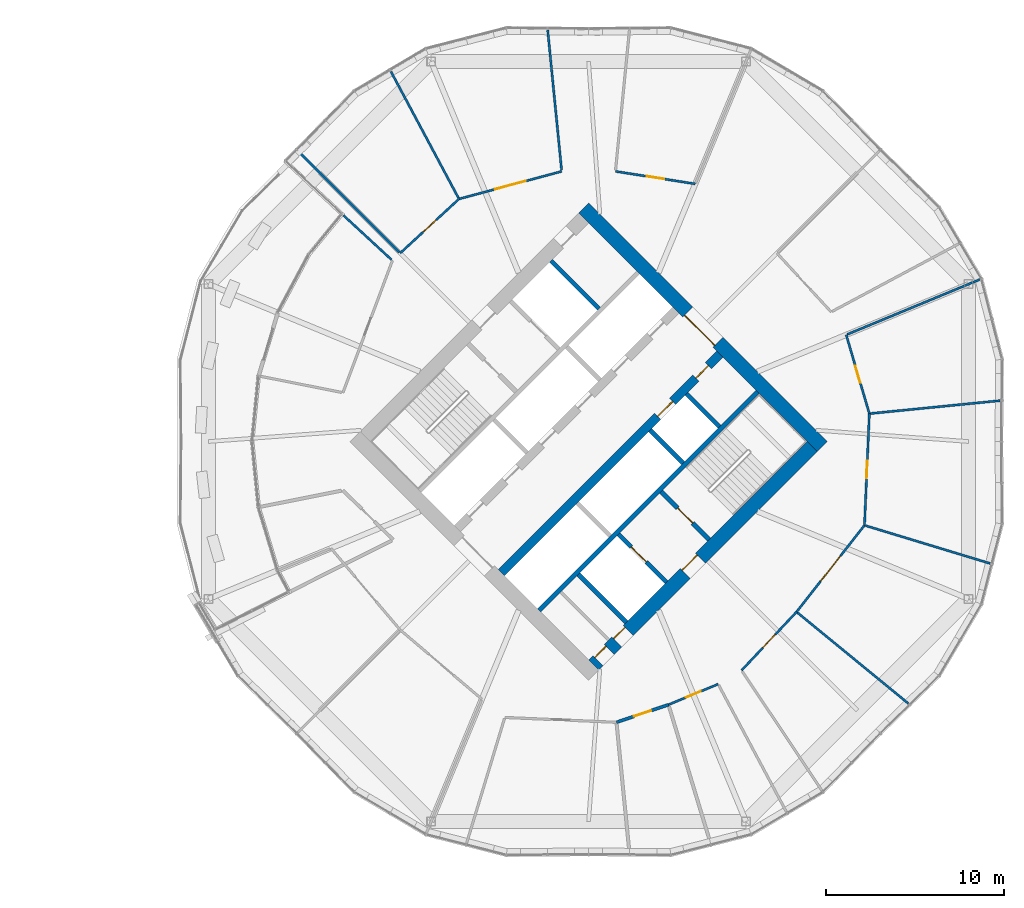
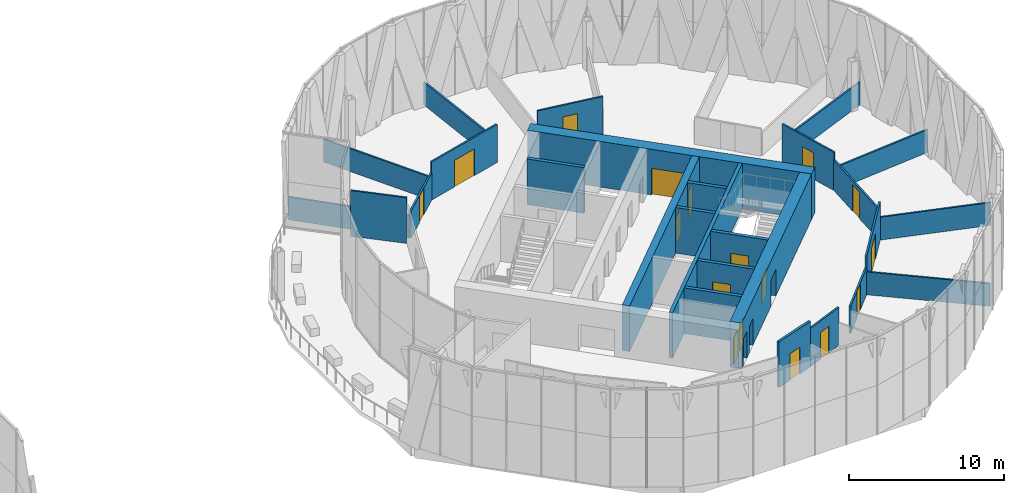
# One storey, part 25 of 31: 27 walls, 17 doors, 17 openings.
"""IFC4 building model written with IfcOpenShell, lengths in metres."""

from ifc_helpers import new_model, si_unit, direction, frame, frame_2d, origin, place, context, subcontext, project, spatial, rectangle, extrude, material, layer, layer_set, type_object, element, fill, save


model = new_model("IFC4")

# Units and contexts
model_context = context("Model", 3, precision=1e-05, world=origin(), true_north=direction((0.0, 1.0)))
body_context = subcontext(model_context, "Body", "Model", "MODEL_VIEW")
ifc_project = project(units=[si_unit("LENGTHUNIT", "METRE"), si_unit("AREAUNIT", "SQUARE_METRE"), si_unit("VOLUMEUNIT", "CUBIC_METRE"), si_unit("PLANEANGLEUNIT", "RADIAN"), si_unit("MASSUNIT", "GRAM", prefix="KILO")], contexts=[model_context])

# Site, building, storey
site_placement = place(None, origin())
site = spatial("IfcSite", under=ifc_project, at=site_placement, CompositionType="ELEMENT")
building_placement = place(site_placement, origin())
building = spatial("IfcBuilding", under=site, at=building_placement, Name="Ogive Gate Towers", CompositionType="ELEMENT")
storey_placement = place(building_placement, frame((0.0, 0.0, 107.39990234375)))
storey = spatial("IfcBuildingStorey", under=building, at=storey_placement, Name="L25", CompositionType="ELEMENT", Elevation=107.39990234375)

# Wall, opening, door
ifc_material_1 = material(Name="Gypsum board acoustic partition")
ifc_layer_1 = layer(ifc_material_1, 0.175048828125)
ifc_layer_set_1 = layer_set([ifc_layer_1], Name="Acoustic partition 175")
wall_type_1 = type_object("IfcWallType", Name="Acoustic partition 175", PredefinedType="PARTITIONING", material=ifc_layer_set_1)
wall_1_placement = place(storey_placement, frame((40.4990234375, -14.817626953125, 0.0), z_axis=(0.0, 0.0, 1.0), x_axis=(-0.947115929301, -0.320891596127, 0.0)))
wall_1 = element("IfcWall", 1, at=wall_1_placement, inside=storey, type_object=wall_type_1, Name="Partition T2-L25-035", PredefinedType="PARTITIONING", context=body_context, shape_type="SweptSolid", body=[
    extrude(rectangle(XDim=3.09130859375, YDim=0.175048828125, at=frame_2d((1.545654296875, 0.0))), origin(), (0.0, 0.0, 1.0), 3.60009765625),
])
opening_1_placement = place(wall_1_placement, frame((1.0458984375, 0.0, 0.0)))
opening_1 = element("IfcOpeningElement", 2, at=opening_1_placement, cuts=wall_1, Name="Opening T2-L25-D12", PredefinedType="OPENING", context=body_context, shape_type="SweptSolid", body=[
    extrude(rectangle(XDim=1.0, YDim=2.10009765625, at=frame_2d((0.5, 1.050048828125))), frame((0.0, 0.09765625, 0.0), z_axis=(0.0, -1.0, 0.0), x_axis=(1.0, 0.0, 0.0)), (0.0, 0.0, 1.0), 0.195068359375),
])
ifc_material_2 = material(Name="Timber door", Category="wood")
door_type_1 = type_object("IfcDoorType", Name="Door 1000", OperationType="NOTDEFINED", PredefinedType="DOOR", material=ifc_material_2)
door_1_placement = place(opening_1_placement, origin())
door_1 = element("IfcDoor", 3, at=door_1_placement, inside=storey, type_object=door_type_1, Name="Door T2-L25-D12", OperationType="SINGLE_SWING_RIGHT", OverallHeight=2.10009765625, OverallWidth=1.0, PredefinedType="DOOR", context=body_context, shape_type="SweptSolid", body=[
    extrude(rectangle(XDim=1.0, YDim=2.10009765625, at=frame_2d((0.5, 1.050048828125))), frame((0.0, 0.02490234375, 0.0), z_axis=(0.0, -1.0, 0.0), x_axis=(1.0, 0.0, 0.0)), (0.0, 0.0, 1.0), 0.050048828125),
])
fill(opening_1, door_1)

# Wall, openings, doors
ifc_material_3 = material(Name="Concrete C60/75", Category="concrete")
ifc_layer_2 = layer(ifc_material_3, 0.800048828125)
ifc_layer_set_2 = layer_set([ifc_layer_2], Name="Core wall 800 mm")
wall_type_2 = type_object("IfcWallType", Name="Core wall 800 mm", PredefinedType="SHEAR", material=ifc_layer_set_2)
wall_2_placement = place(storey_placement, frame((36.28271484375, -12.58642578125, 0.0), z_axis=(0.0, 0.0, 1.0), x_axis=(0.707106781187, 0.707106781187, 0.0)))
wall_2 = element("IfcWall", 4, at=wall_2_placement, inside=storey, type_object=wall_type_2, Name="T2 L25 Core wall 800 mm", PredefinedType="SHEAR", context=body_context, shape_type="SweptSolid", body=[
    extrude(rectangle(XDim=17.400146484375, YDim=0.800048828125, at=frame_2d((8.7001953125, 0.0))), origin(), (0.0, 0.0, 1.0), 3.60009765625),
])
opening_2_placement = place(wall_2_placement, frame((7.300048828125, 0.0, 0.0)))
opening_2 = element("IfcOpeningElement", 5, at=opening_2_placement, cuts=wall_2, Name="Opening KD-T2-L25-16", PredefinedType="OPENING", context=body_context, shape_type="SweptSolid", body=[
    extrude(rectangle(XDim=1.199951171875, YDim=2.10009765625, at=frame_2d((0.60009765625, 1.050048828125))), frame((0.0, 0.41015625, 0.0), z_axis=(0.0, -1.0, 0.0), x_axis=(1.0, 0.0, 0.0)), (0.0, 0.0, 1.0), 0.820068359375),
])
opening_3_placement = place(wall_2_placement, frame((0.35009765625, 0.0, 0.0)))
opening_3 = element("IfcOpeningElement", 6, at=opening_3_placement, cuts=wall_2, Name="Opening KD-T2-L25-18", PredefinedType="OPENING", context=body_context, shape_type="SweptSolid", body=[
    extrude(rectangle(XDim=0.89990234375, YDim=2.10009765625, at=frame_2d((0.449951171875, 1.050048828125))), frame((0.0, 0.41015625, 0.0), z_axis=(0.0, -1.0, 0.0), x_axis=(1.0, 0.0, 0.0)), (0.0, 0.0, 1.0), 0.820068359375),
])
opening_4_placement = place(wall_2_placement, frame((1.85009765625, 0.0, 0.0)))
opening_4 = element("IfcOpeningElement", 7, at=opening_4_placement, cuts=wall_2, Name="Opening KD-T2-L25-19", PredefinedType="OPENING", context=body_context, shape_type="SweptSolid", body=[
    extrude(rectangle(XDim=0.89990234375, YDim=2.10009765625, at=frame_2d((0.449951171875, 1.050048828125))), frame((0.0, 0.41015625, 0.0), z_axis=(0.0, -1.0, 0.0), x_axis=(1.0, 0.0, 0.0)), (0.0, 0.0, 1.0), 0.820068359375),
])
door_type_2 = type_object("IfcDoorType", Name="Core WC door 900 x 2100", OperationType="NOTDEFINED", PredefinedType="DOOR", material=ifc_material_2)
door_2_placement = place(opening_3_placement, origin())
door_2 = element("IfcDoor", 8, at=door_2_placement, inside=storey, type_object=door_type_2, Name="T2 L25 Core door", OperationType="SINGLE_SWING_LEFT", OverallHeight=2.10009765625, OverallWidth=0.89990234375, PredefinedType="DOOR", context=body_context, shape_type="SweptSolid", body=[
    extrude(rectangle(XDim=0.89990234375, YDim=2.10009765625, at=frame_2d((0.449951171875, 1.050048828125))), frame((0.0, 0.27490234375, 0.0), z_axis=(0.0, -1.0, 0.0), x_axis=(1.0, 0.0, 0.0)), (0.0, 0.0, 1.0), 0.050048828125),
])
fill(opening_3, door_2)
door_3_placement = place(opening_4_placement, origin())
door_3 = element("IfcDoor", 9, at=door_3_placement, inside=storey, type_object=door_type_2, Name="T2 L25 Core door", OperationType="SINGLE_SWING_RIGHT", OverallHeight=2.10009765625, OverallWidth=0.89990234375, PredefinedType="DOOR", context=body_context, shape_type="SweptSolid", body=[
    extrude(rectangle(XDim=0.89990234375, YDim=2.10009765625, at=frame_2d((0.449951171875, 1.050048828125))), frame((0.0, 0.27490234375, 0.0), z_axis=(0.0, -1.0, 0.0), x_axis=(1.0, 0.0, 0.0)), (0.0, 0.0, 1.0), 0.050048828125),
])
fill(opening_4, door_3)
ifc_material_4 = material(Name="Steel fire door", Category="steel")
door_type_3 = type_object("IfcDoorType", Name="Core door FD60S 1200 x 2100", OperationType="NOTDEFINED", PredefinedType="DOOR", material=ifc_material_4)
door_4_placement = place(opening_2_placement, origin())
door_4 = element("IfcDoor", 10, at=door_4_placement, inside=storey, type_object=door_type_3, Name="T2 L25 Fire-fighting lobby door", OperationType="SINGLE_SWING_LEFT", OverallHeight=2.10009765625, OverallWidth=1.199951171875, PredefinedType="DOOR", context=body_context, shape_type="SweptSolid", body=[
    extrude(rectangle(XDim=1.199951171875, YDim=2.10009765625, at=frame_2d((0.60009765625, 1.050048828125))), frame((0.0, 0.27490234375, 0.0), z_axis=(0.0, -1.0, 0.0), x_axis=(1.0, 0.0, 0.0)), (0.0, 0.0, 1.0), 0.050048828125),
])
fill(opening_2, door_4)

# Wall, opening, door
wall_3_placement = place(storey_placement, frame((49.152099609375, -0.28271484375, 0.0), z_axis=(0.0, 0.0, 1.0), x_axis=(-0.707106781187, 0.707106781187, 0.0)))
wall_3 = element("IfcWall", 11, at=wall_3_placement, inside=storey, type_object=wall_type_2, Name="T2 L25 Core wall 800 mm", PredefinedType="SHEAR", context=body_context, shape_type="SweptSolid", body=[
    extrude(rectangle(XDim=18.999755859375, YDim=0.800048828125, at=frame_2d((9.5, 0.0))), origin(), (0.0, 0.0, 1.0), 3.60009765625),
])
opening_5_placement = place(wall_3_placement, frame((8.300048828125, 0.0, 0.0)))
opening_5 = element("IfcOpeningElement", 12, at=opening_5_placement, cuts=wall_3, Name="Opening KD-T2-L25-02", PredefinedType="OPENING", context=body_context, shape_type="SweptSolid", body=[
    extrude(rectangle(XDim=2.39990234375, YDim=2.10009765625, at=frame_2d((1.199951171875, 1.050048828125))), frame((0.0, 0.41015625, 0.0), z_axis=(0.0, -1.0, 0.0), x_axis=(1.0, 0.0, 0.0)), (0.0, 0.0, 1.0), 0.820068359375),
])
door_type_4 = type_object("IfcDoorType", Name="Core double door FD60S 2400 x 2100", OperationType="DOUBLE_DOOR_SINGLE_SWING", PredefinedType="DOOR", material=ifc_material_4)
door_5_placement = place(opening_5_placement, origin())
door_5 = element("IfcDoor", 13, at=door_5_placement, inside=storey, type_object=door_type_4, Name="T2 L25 Core door double", OperationType="DOUBLE_DOOR_SINGLE_SWING", OverallHeight=2.10009765625, OverallWidth=2.39990234375, PredefinedType="DOOR", context=body_context, shape_type="SweptSolid", body=[
    extrude(rectangle(XDim=2.39990234375, YDim=2.10009765625, at=frame_2d((1.199951171875, 1.050048828125))), frame((0.0, 0.27490234375, 0.0), z_axis=(0.0, -1.0, 0.0), x_axis=(1.0, 0.0, 0.0)), (0.0, 0.0, 1.0), 0.050048828125),
])
fill(opening_5, door_5)

# Walls
ifc_material_5 = material(Name="Gypsum board partition")
ifc_layer_3 = layer(ifc_material_5, 0.125)
ifc_layer_set_3 = layer_set([ifc_layer_3], Name="Partition 125")
wall_type_3 = type_object("IfcWallType", Name="Partition 125", PredefinedType="PARTITIONING", material=ifc_layer_set_3)
wall_4_placement = place(storey_placement, frame((59.162353515625, 2.302001953125, 0.0), z_axis=(0.0, 0.0, 1.0), x_axis=(-0.99509705675, -0.098903223643, 0.0)))
element("IfcWall", 14, at=wall_4_placement, inside=storey, type_object=wall_type_3, Name="Partition T2-L25-001", PredefinedType="PARTITIONING", context=body_context, shape_type="SweptSolid", body=[
    extrude(rectangle(XDim=7.326416015625, YDim=0.125, at=frame_2d((3.6630859375, 0.0))), origin(), (0.0, 0.0, 1.0), 1.800048828125),
])
wall_5_placement = place(storey_placement, frame((58.025390625, 9.123046875, 0.0), z_axis=(0.0, 0.0, 1.0), x_axis=(-0.923886042226, -0.382667716145, 0.0)))
element("IfcWall", 15, at=wall_5_placement, inside=storey, type_object=wall_type_3, Name="Partition T2-L25-002", PredefinedType="PARTITIONING", context=body_context, shape_type="SweptSolid", body=[
    extrude(rectangle(XDim=8.076416015625, YDim=0.125, at=frame_2d((4.0380859375, 0.0))), origin(), (0.0, 0.0, 1.0), 1.800048828125),
])
wall_6_placement = place(storey_placement, frame((33.697998046875, 23.162353515625, 0.0), z_axis=(0.0, 0.0, 1.0), x_axis=(0.09887242323, -0.995100117538, 0.0)))
element("IfcWall", 16, at=wall_6_placement, inside=storey, type_object=wall_type_3, Name="Partition T2-L25-007", PredefinedType="PARTITIONING", context=body_context, shape_type="SweptSolid", body=[
    extrude(rectangle(XDim=7.92626953125, YDim=0.125, at=frame_2d((3.963134765625, 0.0))), origin(), (0.0, 0.0, 1.0), 1.800048828125),
])
for number, where, z_axis, x_axis, name in (
    (17, (24.86865234375, 20.837890625, 0.0), (0.0, 0.0, 1.0), (0.471173353505, -0.882040628853, 0.0), "Partition T2-L25-008"),
    (18, (19.63818359375, 16.36181640625, 0.0), (0.0, 0.0, 1.0), (0.707106781187, -0.707106781187, 0.0), "Partition T2-L25-009"),
):
    element("IfcWall", number, at=place(storey_placement, frame(where, z_axis=z_axis, x_axis=x_axis)), inside=storey, type_object=wall_type_3, Name=name, PredefinedType="PARTITIONING", context=body_context, shape_type="SweptSolid", body=[
        extrude(rectangle(XDim=8.076416015625, YDim=0.125, at=frame_2d((4.0380859375, 0.0))), origin(), (0.0, 0.0, 1.0), 1.800048828125),
    ])
wall_7_placement = place(storey_placement, frame((22.197509765625, 12.735107421875, 0.0), z_axis=(0.0, 0.0, 1.0), x_axis=(0.734947989993, -0.678123478435, 0.0)))
element("IfcWall", 19, at=wall_7_placement, inside=storey, type_object=wall_type_3, Name="Partition T2-L25-010", PredefinedType="PARTITIONING", context=body_context, shape_type="SweptSolid", body=[
    extrude(rectangle(XDim=3.690673828125, YDim=0.125, at=frame_2d((1.84521484375, 0.0))), origin(), (0.0, 0.0, 1.0), 3.60009765625),
])
wall_8_placement = place(storey_placement, frame((54.006103515625, -14.75048828125, 0.0), z_axis=(0.0, 0.0, 1.0), x_axis=(-0.773573317024, 0.633706811695, 0.0)))
element("IfcWall", 20, at=wall_8_placement, inside=storey, type_object=wall_type_3, Name="Partition T2-L25-022", PredefinedType="PARTITIONING", context=body_context, shape_type="SweptSolid", body=[
    extrude(rectangle(XDim=8.07666015625, YDim=0.125, at=frame_2d((4.038330078125, 0.0))), origin(), (0.0, 0.0, 1.0), 1.800048828125),
])
wall_9_placement = place(storey_placement, frame((58.605712890625, -6.86376953125, 0.0), z_axis=(0.0, 0.0, 1.0), x_axis=(-0.956862546467, 0.290540990515, 0.0)))
element("IfcWall", 21, at=wall_9_placement, inside=storey, type_object=wall_type_3, Name="Partition T2-L25-023", PredefinedType="PARTITIONING", context=body_context, shape_type="SweptSolid", body=[
    extrude(rectangle(XDim=7.32666015625, YDim=0.125, at=frame_2d((3.663330078125, 0.0))), origin(), (0.0, 0.0, 1.0), 1.800048828125),
])

# Wall, opening, door
wall_10_placement = place(storey_placement, frame((25.393310546875, 10.606689453125, 0.0), z_axis=(0.0, 0.0, 1.0), x_axis=(0.73518166426, 0.677870135451, 0.0)))
wall_10 = element("IfcWall", 22, at=wall_10_placement, inside=storey, type_object=wall_type_3, Name="Partition T2-L25-026", PredefinedType="PARTITIONING", context=body_context, shape_type="SweptSolid", body=[
    extrude(rectangle(XDim=4.502685546875, YDim=0.125, at=frame_2d((2.25146484375, 0.0))), origin(), (0.0, 0.0, 1.0), 2.14013671875),
])
opening_6_placement = place(wall_10_placement, frame((1.7509765625, 0.0, 0.0)))
opening_6 = element("IfcOpeningElement", 23, at=opening_6_placement, cuts=wall_10, Name="Opening T2-L25-D03", PredefinedType="OPENING", context=body_context, shape_type="SweptSolid", body=[
    extrude(rectangle(XDim=1.0, YDim=2.10009765625, at=frame_2d((0.5, 1.050048828125))), frame((0.0, 0.072509765625, 0.0), z_axis=(0.0, -1.0, 0.0), x_axis=(1.0, 0.0, 0.0)), (0.0, 0.0, 1.0), 0.14501953125),
])
door_6_placement = place(opening_6_placement, origin())
door_6 = element("IfcDoor", 24, at=door_6_placement, inside=storey, type_object=door_type_1, Name="Door T2-L25-D03", OperationType="SINGLE_SWING_LEFT", OverallHeight=2.10009765625, OverallWidth=1.0, PredefinedType="DOOR", context=body_context, shape_type="SweptSolid", body=[
    extrude(rectangle(XDim=1.0, YDim=2.10009765625, at=frame_2d((0.5, 1.050048828125))), frame((0.0, 0.02490234375, 0.0), z_axis=(0.0, -1.0, 0.0), x_axis=(1.0, 0.0, 0.0)), (0.0, 0.0, 1.0), 0.050048828125),
])
fill(opening_6, door_6)

wall_11_placement = place(storey_placement, frame((28.70361328125, 13.658935546875, 0.0), z_axis=(0.0, 0.0, 1.0), x_axis=(0.965767901154, 0.259407712107, 0.0)))
wall_11 = element("IfcWall", 25, at=wall_11_placement, inside=storey, type_object=wall_type_3, Name="Partition T2-L25-027", PredefinedType="PARTITIONING", context=body_context, shape_type="SweptSolid", body=[
    extrude(rectangle(XDim=5.989501953125, YDim=0.125, at=frame_2d((2.99462890625, 0.0))), origin(), (0.0, 0.0, 1.0), 3.010009765625),
])
opening_7_placement = place(wall_11_placement, frame((2.094970703125, 0.0, 0.0)))
opening_7 = element("IfcOpeningElement", 26, at=opening_7_placement, cuts=wall_11, Name="Opening T2-L25-D04", PredefinedType="OPENING", context=body_context, shape_type="SweptSolid", body=[
    extrude(rectangle(XDim=1.800048828125, YDim=2.10009765625, at=frame_2d((0.89990234375, 1.050048828125))), frame((0.0, 0.072509765625, 0.0), z_axis=(0.0, -1.0, 0.0), x_axis=(1.0, 0.0, 0.0)), (0.0, 0.0, 1.0), 0.14501953125),
])
door_type_5 = type_object("IfcDoorType", Name="Door pair 1800", OperationType="NOTDEFINED", PredefinedType="DOOR", material=ifc_material_2)
door_7_placement = place(opening_7_placement, origin())
door_7 = element("IfcDoor", 27, at=door_7_placement, inside=storey, type_object=door_type_5, Name="Door T2-L25-D04", OperationType="DOUBLE_DOOR_DOUBLE_SWING", OverallHeight=2.10009765625, OverallWidth=1.800048828125, PredefinedType="DOOR", context=body_context, shape_type="SweptSolid", body=[
    extrude(rectangle(XDim=1.800048828125, YDim=2.10009765625, at=frame_2d((0.89990234375, 1.050048828125))), frame((0.0, 0.02490234375, 0.0), z_axis=(0.0, -1.0, 0.0), x_axis=(1.0, 0.0, 0.0)), (0.0, 0.0, 1.0), 0.050048828125),
])
fill(opening_7, door_7)

wall_12_placement = place(storey_placement, frame((37.511962890625, 15.212646484375, 0.0), z_axis=(0.0, 0.0, 1.0), x_axis=(0.987871014324, -0.155276717693, 0.0)))
wall_12 = element("IfcWall", 28, at=wall_12_placement, inside=storey, type_object=wall_type_3, Name="Partition T2-L25-028", PredefinedType="PARTITIONING", context=body_context, shape_type="SweptSolid", body=[
    extrude(rectangle(XDim=4.5517578125, YDim=0.125, at=frame_2d((2.27587890625, 0.0))), origin(), (0.0, 0.0, 1.0), 3.010009765625),
])
opening_8_placement = place(wall_12_placement, frame((1.77587890625, 0.0, 0.0)))
opening_8 = element("IfcOpeningElement", 29, at=opening_8_placement, cuts=wall_12, Name="Opening T2-L25-D05", PredefinedType="OPENING", context=body_context, shape_type="SweptSolid", body=[
    extrude(rectangle(XDim=1.0, YDim=2.10009765625, at=frame_2d((0.5, 1.050048828125))), frame((0.0, 0.072509765625, 0.0), z_axis=(0.0, -1.0, 0.0), x_axis=(1.0, 0.0, 0.0)), (0.0, 0.0, 1.0), 0.14501953125),
])
door_8_placement = place(opening_8_placement, origin())
door_8 = element("IfcDoor", 30, at=door_8_placement, inside=storey, type_object=door_type_1, Name="Door T2-L25-D05", OperationType="SINGLE_SWING_RIGHT", OverallHeight=2.10009765625, OverallWidth=1.0, PredefinedType="DOOR", context=body_context, shape_type="SweptSolid", body=[
    extrude(rectangle(XDim=1.0, YDim=2.10009765625, at=frame_2d((0.5, 1.050048828125))), frame((0.0, 0.02490234375, 0.0), z_axis=(0.0, -1.0, 0.0), x_axis=(1.0, 0.0, 0.0)), (0.0, 0.0, 1.0), 0.050048828125),
])
fill(opening_8, door_8)

wall_13_placement = place(storey_placement, frame((50.505859375, 6.008544921875, 0.0), z_axis=(0.0, 0.0, 1.0), x_axis=(0.281894800905, -0.959445319559, 0.0)))
wall_13 = element("IfcWall", 31, at=wall_13_placement, inside=storey, type_object=wall_type_3, Name="Partition T2-L25-030", PredefinedType="PARTITIONING", context=body_context, shape_type="SweptSolid", body=[
    extrude(rectangle(XDim=4.624755859375, YDim=0.125, at=frame_2d((2.3125, 0.0))), origin(), (0.0, 0.0, 1.0), 3.010009765625),
])
opening_9_placement = place(wall_13_placement, frame((1.81201171875, 0.0, 0.0)))
opening_9 = element("IfcOpeningElement", 32, at=opening_9_placement, cuts=wall_13, Name="Opening T2-L25-D07", PredefinedType="OPENING", context=body_context, shape_type="SweptSolid", body=[
    extrude(rectangle(XDim=1.0, YDim=2.10009765625, at=frame_2d((0.5, 1.050048828125))), frame((0.0, 0.072509765625, 0.0), z_axis=(0.0, -1.0, 0.0), x_axis=(1.0, 0.0, 0.0)), (0.0, 0.0, 1.0), 0.14501953125),
])
door_9_placement = place(opening_9_placement, origin())
door_9 = element("IfcDoor", 33, at=door_9_placement, inside=storey, type_object=door_type_1, Name="Door T2-L25-D07", OperationType="SINGLE_SWING_RIGHT", OverallHeight=2.10009765625, OverallWidth=1.0, PredefinedType="DOOR", context=body_context, shape_type="SweptSolid", body=[
    extrude(rectangle(XDim=1.0, YDim=2.10009765625, at=frame_2d((0.5, 1.050048828125))), frame((0.0, 0.02490234375, 0.0), z_axis=(0.0, -1.0, 0.0), x_axis=(1.0, 0.0, 0.0)), (0.0, 0.0, 1.0), 0.050048828125),
])
fill(opening_9, door_9)

wall_14_placement = place(storey_placement, frame((51.8095703125, 1.5712890625, 0.0), z_axis=(0.0, 0.0, 1.0), x_axis=(-0.043560104735, -0.999050808155, 0.0)))
wall_14 = element("IfcWall", 34, at=wall_14_placement, inside=storey, type_object=wall_type_3, Name="Partition T2-L25-031", PredefinedType="PARTITIONING", context=body_context, shape_type="SweptSolid", body=[
    extrude(rectangle(XDim=6.2939453125, YDim=0.125, at=frame_2d((3.14697265625, 0.0))), origin(), (0.0, 0.0, 1.0), 2.400146484375),
])
opening_10_placement = place(wall_14_placement, frame((2.64697265625, 0.0, 0.0)))
opening_10 = element("IfcOpeningElement", 35, at=opening_10_placement, cuts=wall_14, Name="Opening T2-L25-D08", PredefinedType="OPENING", context=body_context, shape_type="SweptSolid", body=[
    extrude(rectangle(XDim=1.0, YDim=2.10009765625, at=frame_2d((0.5, 1.050048828125))), frame((0.0, 0.072509765625, 0.0), z_axis=(0.0, -1.0, 0.0), x_axis=(1.0, 0.0, 0.0)), (0.0, 0.0, 1.0), 0.14501953125),
])
door_10_placement = place(opening_10_placement, origin())
door_10 = element("IfcDoor", 36, at=door_10_placement, inside=storey, type_object=door_type_1, Name="Door T2-L25-D08", OperationType="SINGLE_SWING_RIGHT", OverallHeight=2.10009765625, OverallWidth=1.0, PredefinedType="DOOR", context=body_context, shape_type="SweptSolid", body=[
    extrude(rectangle(XDim=1.0, YDim=2.10009765625, at=frame_2d((0.5, 1.050048828125))), frame((0.0, 0.02490234375, 0.0), z_axis=(0.0, -1.0, 0.0), x_axis=(1.0, 0.0, 0.0)), (0.0, 0.0, 1.0), 0.050048828125),
])
fill(opening_10, door_10)

wall_15_placement = place(storey_placement, frame((51.535400390625, -4.716796875, 0.0), z_axis=(0.0, 0.0, 1.0), x_axis=(-0.617254226553, -0.786763763656, 0.0)))
wall_15 = element("IfcWall", 37, at=wall_15_placement, inside=storey, type_object=wall_type_3, Name="Partition T2-L25-032", PredefinedType="PARTITIONING", context=body_context, shape_type="SweptSolid", body=[
    extrude(rectangle(XDim=6.197509765625, YDim=0.125, at=frame_2d((3.0986328125, 0.0))), origin(), (0.0, 0.0, 1.0), 3.010009765625),
])
opening_11_placement = place(wall_15_placement, frame((2.198974609375, 0.0, 0.0)))
opening_11 = element("IfcOpeningElement", 38, at=opening_11_placement, cuts=wall_15, Name="Opening T2-L25-D09", PredefinedType="OPENING", context=body_context, shape_type="SweptSolid", body=[
    extrude(rectangle(XDim=1.800048828125, YDim=2.10009765625, at=frame_2d((0.89990234375, 1.050048828125))), frame((0.0, 0.072509765625, 0.0), z_axis=(0.0, -1.0, 0.0), x_axis=(1.0, 0.0, 0.0)), (0.0, 0.0, 1.0), 0.14501953125),
])
door_11_placement = place(opening_11_placement, origin())
door_11 = element("IfcDoor", 39, at=door_11_placement, inside=storey, type_object=door_type_5, Name="Door T2-L25-D09", OperationType="DOUBLE_DOOR_DOUBLE_SWING", OverallHeight=2.10009765625, OverallWidth=1.800048828125, PredefinedType="DOOR", context=body_context, shape_type="SweptSolid", body=[
    extrude(rectangle(XDim=1.800048828125, YDim=2.10009765625, at=frame_2d((0.89990234375, 1.050048828125))), frame((0.0, 0.02490234375, 0.0), z_axis=(0.0, -1.0, 0.0), x_axis=(1.0, 0.0, 0.0)), (0.0, 0.0, 1.0), 0.050048828125),
])
fill(opening_11, door_11)

wall_16_placement = place(storey_placement, frame((47.7099609375, -9.5927734375, 0.0), z_axis=(0.0, 0.0, 1.0), x_axis=(-0.684801570009, -0.728729586138, 0.0)))
wall_16 = element("IfcWall", 40, at=wall_16_placement, inside=storey, type_object=wall_type_3, Name="Partition T2-L25-033", PredefinedType="PARTITIONING", context=body_context, shape_type="SweptSolid", body=[
    extrude(rectangle(XDim=4.5185546875, YDim=0.125, at=frame_2d((2.25927734375, 0.0))), origin(), (0.0, 0.0, 1.0), 2.14013671875),
])
opening_12_placement = place(wall_16_placement, frame((1.759033203125, 0.0, 0.0)))
opening_12 = element("IfcOpeningElement", 41, at=opening_12_placement, cuts=wall_16, Name="Opening T2-L25-D10", PredefinedType="OPENING", context=body_context, shape_type="SweptSolid", body=[
    extrude(rectangle(XDim=1.0, YDim=2.10009765625, at=frame_2d((0.5, 1.050048828125))), frame((0.0, 0.072509765625, 0.0), z_axis=(0.0, -1.0, 0.0), x_axis=(1.0, 0.0, 0.0)), (0.0, 0.0, 1.0), 0.14501953125),
])
door_12_placement = place(opening_12_placement, origin())
door_12 = element("IfcDoor", 42, at=door_12_placement, inside=storey, type_object=door_type_1, Name="Door T2-L25-D10", OperationType="SINGLE_SWING_LEFT", OverallHeight=2.10009765625, OverallWidth=1.0, PredefinedType="DOOR", context=body_context, shape_type="SweptSolid", body=[
    extrude(rectangle(XDim=1.0, YDim=2.10009765625, at=frame_2d((0.5, 1.050048828125))), frame((0.0, 0.02490234375, 0.0), z_axis=(0.0, -1.0, 0.0), x_axis=(1.0, 0.0, 0.0)), (0.0, 0.0, 1.0), 0.050048828125),
])
fill(opening_12, door_12)

wall_17_placement = place(storey_placement, frame((43.29638671875, -13.658935546875, 0.0), z_axis=(0.0, 0.0, 1.0), x_axis=(-0.923881214391, -0.382679371923, 0.0)))
wall_17 = element("IfcWall", 43, at=wall_17_placement, inside=storey, type_object=wall_type_3, Name="Partition T2-L25-034", PredefinedType="PARTITIONING", context=body_context, shape_type="SweptSolid", body=[
    extrude(rectangle(XDim=3.02783203125, YDim=0.125, at=frame_2d((1.513916015625, 0.0))), origin(), (0.0, 0.0, 1.0), 3.010009765625),
])
opening_13_placement = place(wall_17_placement, frame((1.06396484375, 0.0, 0.0)))
opening_13 = element("IfcOpeningElement", 44, at=opening_13_placement, cuts=wall_17, Name="Opening T2-L25-D11", PredefinedType="OPENING", context=body_context, shape_type="SweptSolid", body=[
    extrude(rectangle(XDim=0.89990234375, YDim=2.10009765625, at=frame_2d((0.449951171875, 1.050048828125))), frame((0.0, 0.072509765625, 0.0), z_axis=(0.0, -1.0, 0.0), x_axis=(1.0, 0.0, 0.0)), (0.0, 0.0, 1.0), 0.14501953125),
])
door_type_6 = type_object("IfcDoorType", Name="Door 900", OperationType="NOTDEFINED", PredefinedType="DOOR", material=ifc_material_2)
door_13_placement = place(opening_13_placement, origin())
door_13 = element("IfcDoor", 45, at=door_13_placement, inside=storey, type_object=door_type_6, Name="Door T2-L25-D11", OperationType="SINGLE_SWING_LEFT", OverallHeight=2.10009765625, OverallWidth=0.89990234375, PredefinedType="DOOR", context=body_context, shape_type="SweptSolid", body=[
    extrude(rectangle(XDim=0.89990234375, YDim=2.10009765625, at=frame_2d((0.449951171875, 1.050048828125))), frame((0.0, 0.02490234375, 0.0), z_axis=(0.0, -1.0, 0.0), x_axis=(1.0, 0.0, 0.0)), (0.0, 0.0, 1.0), 0.050048828125),
])
fill(opening_13, door_13)

# Walls
ifc_layer_4 = layer(ifc_material_3, 0.25)
ifc_layer_set_4 = layer_set([ifc_layer_4], Name="Shaft wall 250 mm")
wall_type_4 = type_object("IfcWallType", Name="Shaft wall 250 mm", PredefinedType="SHEAR", material=ifc_layer_set_4)
wall_18_placement = place(storey_placement, frame((33.206787109375, -9.510498046875, 0.0), z_axis=(0.0, 0.0, 1.0), x_axis=(0.707106781187, 0.707106781187, 0.0)))
element("IfcWall", 46, at=wall_18_placement, inside=storey, type_object=wall_type_4, Name="T2 L25 Shaft wall 250 mm", PredefinedType="SHEAR", context=body_context, shape_type="SweptSolid", body=[
    extrude(rectangle(XDim=17.400146484375, YDim=0.25, at=frame_2d((8.7001953125, 0.0))), origin(), (0.0, 0.0, 1.0), 3.60009765625),
])
wall_19_placement = place(storey_placement, frame((38.121337890625, -10.182373046875, 0.0), z_axis=(0.0, 0.0, 1.0), x_axis=(-0.707138693938, 0.707074866995, 0.0)))
element("IfcWall", 47, at=wall_19_placement, inside=storey, type_object=wall_type_4, Name="T2 L25 Shaft wall 250 mm", PredefinedType="SHEAR", context=body_context, shape_type="SweptSolid", body=[
    extrude(rectangle(XDim=3.824951171875, YDim=0.25, at=frame_2d((1.91259765625, 0.0))), origin(), (0.0, 0.0, 1.0), 3.60009765625),
])

# Wall, opening, door
wall_20_placement = place(storey_placement, frame((40.384033203125, -7.919677734375, 0.0), z_axis=(0.0, 0.0, 1.0), x_axis=(-0.707074866995, 0.707138693938, 0.0)))
wall_20 = element("IfcWall", 48, at=wall_20_placement, inside=storey, type_object=wall_type_4, Name="T2 L25 Shaft wall 250 mm", PredefinedType="SHEAR", context=body_context, shape_type="SweptSolid", body=[
    extrude(rectangle(XDim=3.824951171875, YDim=0.25, at=frame_2d((1.91259765625, 0.0))), origin(), (0.0, 0.0, 1.0), 3.60009765625),
])
opening_14_placement = place(wall_20_placement, frame((1.60009765625, 0.0, 0.0)))
opening_14 = element("IfcOpeningElement", 49, at=opening_14_placement, cuts=wall_20, Name="Opening LD-T2-L25-11", PredefinedType="OPENING", context=body_context, shape_type="SweptSolid", body=[
    extrude(rectangle(XDim=1.199951171875, YDim=2.10009765625, at=frame_2d((0.60009765625, 1.050048828125))), frame((0.0, 0.135009765625, 0.0), z_axis=(0.0, -1.0, 0.0), x_axis=(1.0, 0.0, 0.0)), (0.0, 0.0, 1.0), 0.27001953125),
])
ifc_material_6 = material(Name="Stainless steel landing door", Category="steel")
door_type_7 = type_object("IfcDoorType", Name="Landing door 1200 x 2100", OperationType="SLIDING_TO_LEFT", PredefinedType="DOOR", material=ifc_material_6)
door_14_placement = place(opening_14_placement, origin())
door_14 = element("IfcDoor", 50, at=door_14_placement, inside=storey, type_object=door_type_7, Name="T2 L25 Lift landing door FF2", OperationType="SLIDING_TO_LEFT", OverallHeight=2.10009765625, OverallWidth=1.199951171875, PredefinedType="DOOR", context=body_context, shape_type="SweptSolid", body=[
    extrude(rectangle(XDim=1.199951171875, YDim=2.10009765625, at=frame_2d((0.60009765625, 1.050048828125))), frame((0.0, 0.02490234375, 0.0), z_axis=(0.0, -1.0, 0.0), x_axis=(1.0, 0.0, 0.0)), (0.0, 0.0, 1.0), 0.050048828125),
])
fill(opening_14, door_14)

wall_21_placement = place(storey_placement, frame((42.7880859375, -5.515380859375, 0.0), z_axis=(0.0, 0.0, 1.0), x_axis=(-0.707106781187, 0.707106781187, 0.0)))
wall_21 = element("IfcWall", 51, at=wall_21_placement, inside=storey, type_object=wall_type_4, Name="T2 L25 Shaft wall 250 mm", PredefinedType="SHEAR", context=body_context, shape_type="SweptSolid", body=[
    extrude(rectangle(XDim=3.824951171875, YDim=0.25, at=frame_2d((1.91259765625, 0.0))), origin(), (0.0, 0.0, 1.0), 3.60009765625),
])
opening_15_placement = place(wall_21_placement, frame((1.300048828125, 0.0, 0.0)))
opening_15 = element("IfcOpeningElement", 52, at=opening_15_placement, cuts=wall_21, Name="Opening KD-T2-L25-14", PredefinedType="OPENING", context=body_context, shape_type="SweptSolid", body=[
    extrude(rectangle(XDim=1.199951171875, YDim=2.10009765625, at=frame_2d((0.60009765625, 1.050048828125))), frame((0.0, 0.135009765625, 0.0), z_axis=(0.0, -1.0, 0.0), x_axis=(1.0, 0.0, 0.0)), (0.0, 0.0, 1.0), 0.27001953125),
])
door_15_placement = place(opening_15_placement, origin())
door_15 = element("IfcDoor", 53, at=door_15_placement, inside=storey, type_object=door_type_3, Name="T2 L25 Stair door", OperationType="SINGLE_SWING_LEFT", OverallHeight=2.10009765625, OverallWidth=1.199951171875, PredefinedType="DOOR", context=body_context, shape_type="SweptSolid", body=[
    extrude(rectangle(XDim=1.199951171875, YDim=2.10009765625, at=frame_2d((0.60009765625, 1.050048828125))), frame((0.0, 0.02490234375, 0.0), z_axis=(0.0, -1.0, 0.0), x_axis=(1.0, 0.0, 0.0)), (0.0, 0.0, 1.0), 0.050048828125),
])
fill(opening_15, door_15)

# Walls
wall_22_placement = place(storey_placement, frame((41.321044921875, -1.2197265625, 0.0), z_axis=(0.0, 0.0, 1.0), x_axis=(-0.707106781187, 0.707106781187, 0.0)))
element("IfcWall", 54, at=wall_22_placement, inside=storey, type_object=wall_type_4, Name="T2 L25 Shaft wall 250 mm", PredefinedType="SHEAR", context=body_context, shape_type="SweptSolid", body=[
    extrude(rectangle(XDim=2.625, YDim=0.25, at=frame_2d((1.3125, 0.0))), origin(), (0.0, 0.0, 1.0), 3.60009765625),
])
wall_23_placement = place(storey_placement, frame((36.58349609375, 7.477783203125, 0.0), z_axis=(0.0, 0.0, 1.0), x_axis=(-0.707138693938, 0.707074866995, 0.0)))
element("IfcWall", 55, at=wall_23_placement, inside=storey, type_object=wall_type_4, Name="T2 L25 Shaft wall 250 mm", PredefinedType="SHEAR", context=body_context, shape_type="SweptSolid", body=[
    extrude(rectangle(XDim=3.824951171875, YDim=0.25, at=frame_2d((1.91259765625, 0.0))), origin(), (0.0, 0.0, 1.0), 3.60009765625),
])
wall_24_placement = place(storey_placement, frame((43.37158203125, 0.830810546875, 0.0), z_axis=(0.0, 0.0, 1.0), x_axis=(-0.707106781187, 0.707106781187, 0.0)))
element("IfcWall", 56, at=wall_24_placement, inside=storey, type_object=wall_type_4, Name="T2 L25 Shaft wall 250 mm", PredefinedType="SHEAR", context=body_context, shape_type="SweptSolid", body=[
    extrude(rectangle(XDim=2.625, YDim=0.25, at=frame_2d((1.3125, 0.0))), origin(), (0.0, 0.0, 1.0), 3.60009765625),
])

# Wall, openings, doors
ifc_layer_5 = layer(ifc_material_3, 0.5)
ifc_layer_set_5 = layer_set([ifc_layer_5], Name="Spine wall 500 mm")
wall_type_5 = type_object("IfcWallType", Name="Spine wall 500 mm", PredefinedType="SHEAR", material=ifc_layer_set_5)
wall_25_placement = place(storey_placement, frame((31.085693359375, -7.389404296875, 0.0), z_axis=(0.0, 0.0, 1.0), x_axis=(0.707106781187, 0.707106781187, 0.0)))
wall_25 = element("IfcWall", 57, at=wall_25_placement, inside=storey, type_object=wall_type_5, Name="T2 L25 Spine wall 500 mm", PredefinedType="SHEAR", context=body_context, shape_type="SweptSolid", body=[
    extrude(rectangle(XDim=17.400146484375, YDim=0.5, at=frame_2d((8.7001953125, 0.0))), origin(), (0.0, 0.0, 1.0), 3.60009765625),
])
opening_16_placement = place(wall_25_placement, frame((12.449951171875, 0.0, 0.0)))
opening_16 = element("IfcOpeningElement", 58, at=opening_16_placement, cuts=wall_25, Name="Opening LD-T2-L25-09", PredefinedType="OPENING", context=body_context, shape_type="SweptSolid", body=[
    extrude(rectangle(XDim=1.199951171875, YDim=2.10009765625, at=frame_2d((0.60009765625, 1.050048828125))), frame((0.0, 0.260009765625, 0.0), z_axis=(0.0, -1.0, 0.0), x_axis=(1.0, 0.0, 0.0)), (0.0, 0.0, 1.0), 0.52001953125),
])
opening_17_placement = place(wall_25_placement, frame((15.5, 0.0, 0.0)))
opening_17 = element("IfcOpeningElement", 59, at=opening_17_placement, cuts=wall_25, Name="Opening KD-T2-L25-12", PredefinedType="OPENING", context=body_context, shape_type="SweptSolid", body=[
    extrude(rectangle(XDim=1.0, YDim=2.10009765625, at=frame_2d((0.5, 1.050048828125))), frame((0.0, 0.260009765625, 0.0), z_axis=(0.0, -1.0, 0.0), x_axis=(1.0, 0.0, 0.0)), (0.0, 0.0, 1.0), 0.52001953125),
])
door_type_8 = type_object("IfcDoorType", Name="Core door FD60S 1000 x 2100", OperationType="NOTDEFINED", PredefinedType="DOOR", material=ifc_material_4)
door_16_placement = place(opening_17_placement, origin())
door_16 = element("IfcDoor", 60, at=door_16_placement, inside=storey, type_object=door_type_8, Name="T2 L25 Core door", OperationType="SINGLE_SWING_LEFT", OverallHeight=2.10009765625, OverallWidth=1.0, PredefinedType="DOOR", context=body_context, shape_type="SweptSolid", body=[
    extrude(rectangle(XDim=1.0, YDim=2.10009765625, at=frame_2d((0.5, 1.050048828125))), frame((0.0, 0.02490234375, 0.0), z_axis=(0.0, -1.0, 0.0), x_axis=(1.0, 0.0, 0.0)), (0.0, 0.0, 1.0), 0.050048828125),
])
fill(opening_17, door_16)
door_17_placement = place(opening_16_placement, origin())
door_17 = element("IfcDoor", 61, at=door_17_placement, inside=storey, type_object=door_type_7, Name="T2 L25 Lift landing door SVC", OperationType="SLIDING_TO_LEFT", OverallHeight=2.10009765625, OverallWidth=1.199951171875, PredefinedType="DOOR", context=body_context, shape_type="SweptSolid", body=[
    extrude(rectangle(XDim=1.199951171875, YDim=2.10009765625, at=frame_2d((0.60009765625, 1.050048828125))), frame((0.0, 0.02490234375, 0.0), z_axis=(0.0, -1.0, 0.0), x_axis=(1.0, 0.0, 0.0)), (0.0, 0.0, 1.0), 0.050048828125),
])
fill(opening_16, door_17)

save(model, "model.ifc")
